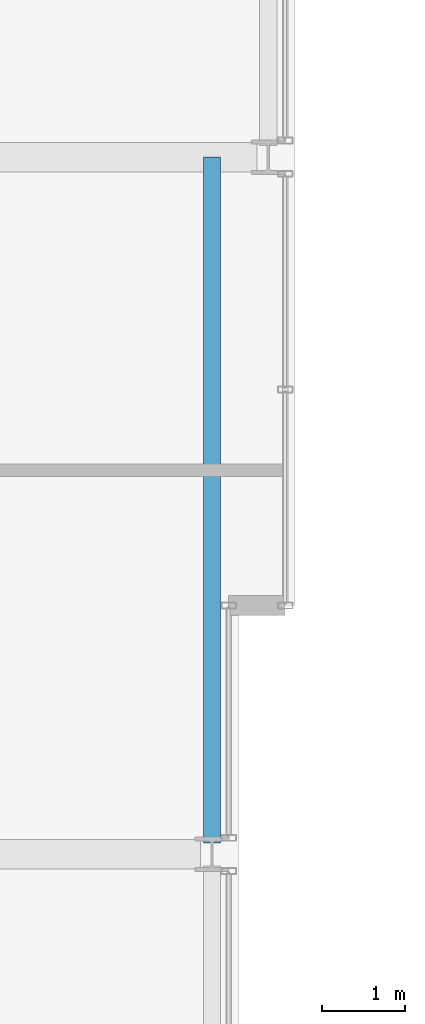
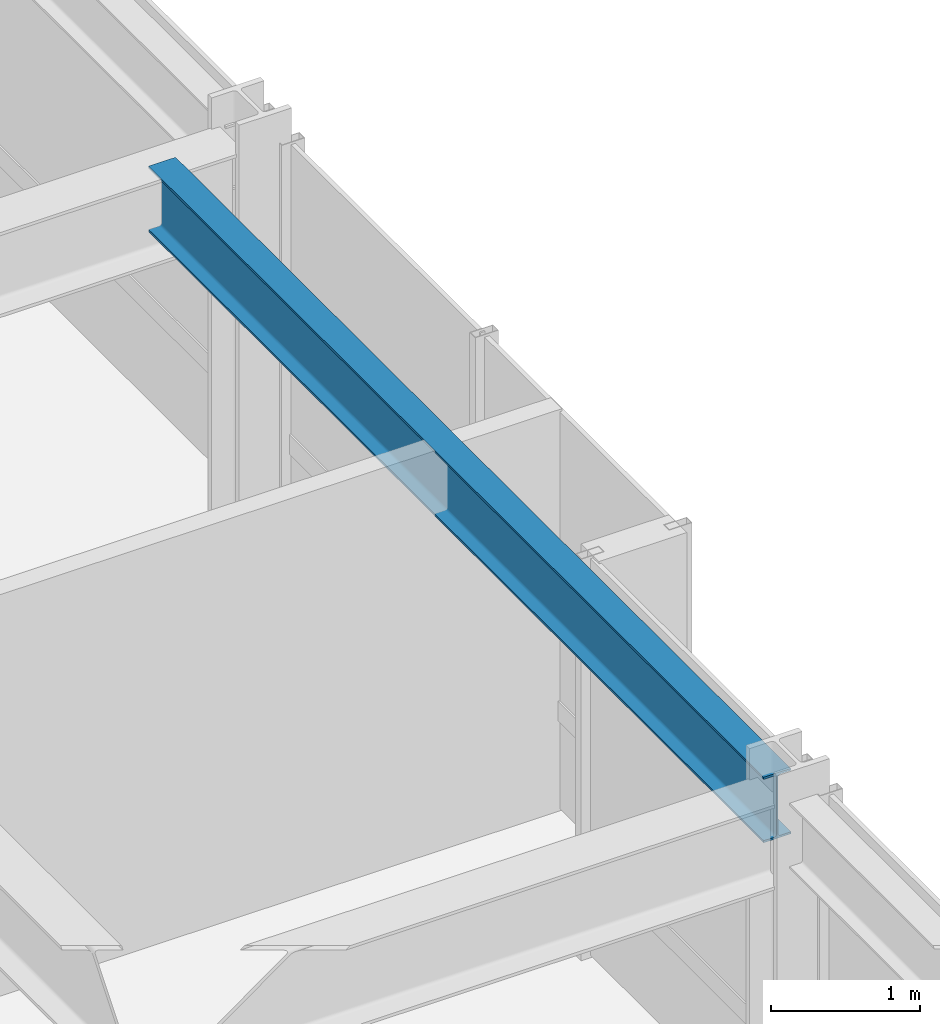
# One storey, part 16 of 32: 1 beam.
"""IFC4 building model written with IfcOpenShell, lengths in metres."""

from ifc_helpers import new_model, si_unit, direction, frame, origin, origin_2d, place, context, subcontext, project, spatial, i_section, extrude, material, material_profile, profile_set, type_object, element, save


model = new_model("IFC4")

# Units and contexts
model_context = context("Model", 3, precision=1e-05, world=origin(), true_north=direction((0.0, 1.0)))
body_context = subcontext(model_context, "Body", "Model", "MODEL_VIEW")
ifc_project = project(units=[si_unit("LENGTHUNIT", "METRE"), si_unit("AREAUNIT", "SQUARE_METRE"), si_unit("VOLUMEUNIT", "CUBIC_METRE"), si_unit("PLANEANGLEUNIT", "RADIAN"), si_unit("MASSUNIT", "GRAM", prefix="KILO")], contexts=[model_context])

# Site, building, storey
site_placement = place(None, origin())
site = spatial("IfcSite", under=ifc_project, at=site_placement, CompositionType="ELEMENT")
building_placement = place(site_placement, origin())
building = spatial("IfcBuilding", under=site, at=building_placement, Name="Drelvath Grand Hotel", CompositionType="ELEMENT")
storey_placement = place(building_placement, frame((0.0, 0.0, 164.60009765625)))
storey = spatial("IfcBuildingStorey", under=building, at=storey_placement, Name="L42", CompositionType="ELEMENT", Elevation=164.60009765625)

# Beam
ifc_material = material(Name="Steel ASTM A992 Gr 50", Category="steel")
ifc_material_profile = material_profile(ifc_material, i_section(OverallWidth=0.210205078125, OverallDepth=0.53662109375, WebThickness=0.010986328125, FlangeThickness=0.017333984375, FilletRadius=0.01806640625, at=origin_2d()), Name="W21X68")
ifc_profile_set = profile_set([ifc_material_profile], Name="Steel ASTM A992 Gr 50")
beam_type = type_object("IfcBeamType", Name="Perimeter Spandrel Beam W21X68", PredefinedType="SPANDREL", material=ifc_profile_set)
beam_placement = place(storey_placement, frame((21.199951171875, 27.139892578125, 3.021484375), z_axis=(0.0, 1.0, 0.0), x_axis=(-1.0, 0.0, 0.0)))
element("IfcBeam", 1, at=beam_placement, inside=storey, type_object=beam_type, Name="L42 Spandrel East Mid N", PredefinedType="SPANDREL", context=body_context, shape_type="SweptSolid", body=[
    extrude(i_section(OverallWidth=0.210205078125, OverallDepth=0.53662109375, WebThickness=0.010986328125, FlangeThickness=0.017333984375, FilletRadius=0.01806640625, at=origin_2d()), origin(), (0.0, 0.0, 1.0), 8.260009765625),
])

save(model, "model.ifc")
